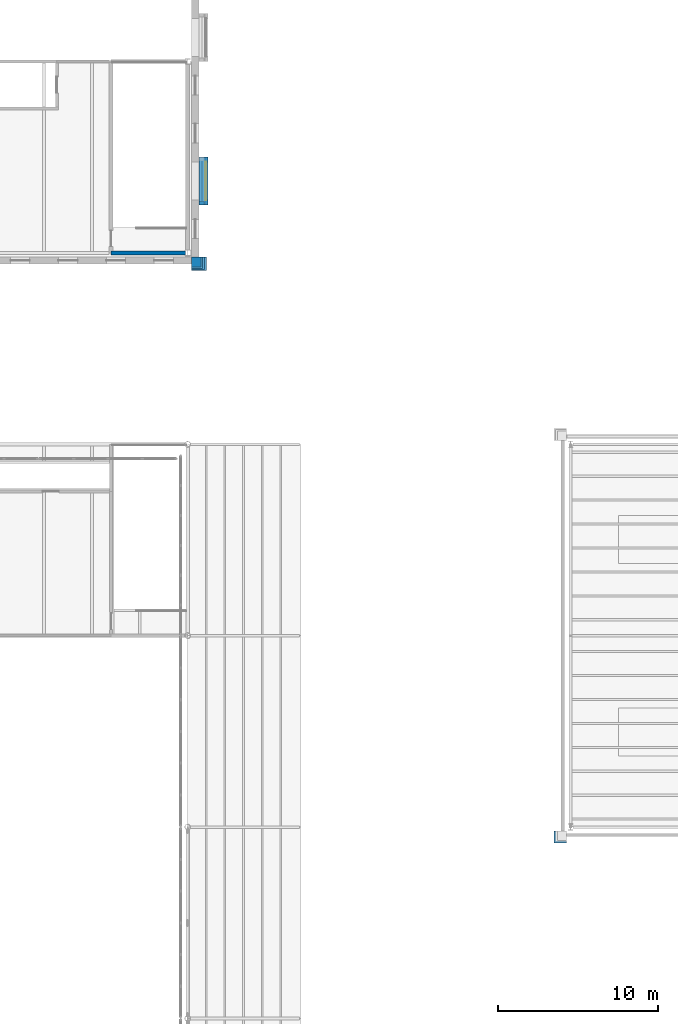
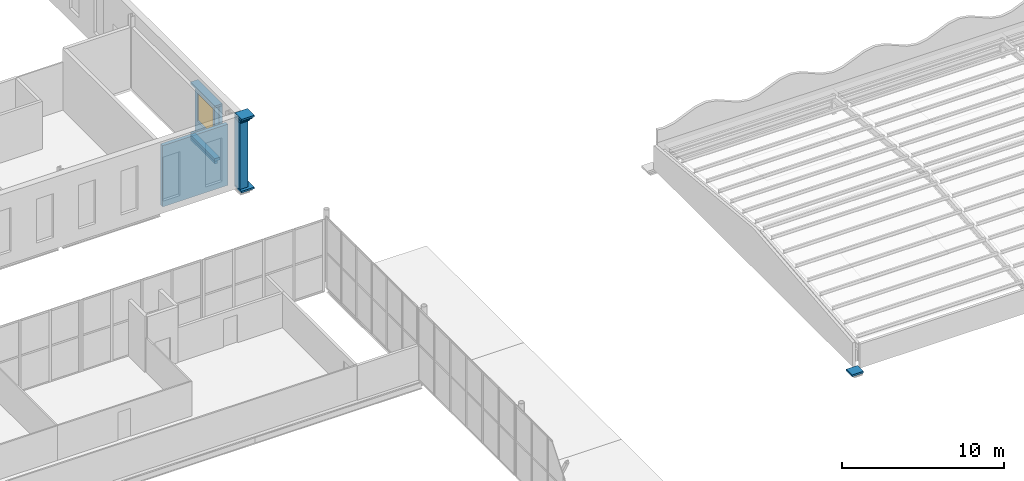
# One storey, part 115 of 170: 13 walls, 1 window, 1 opening.
"""IFC4 building model written with IfcOpenShell, lengths in metres."""

from ifc_helpers import new_model, si_unit, direction, frame, frame_2d, origin, place, context, subcontext, project, spatial, rectangle, extrude, material, layer, layer_set, type_object, element, fill, save


model = new_model("IFC4")

# Units and contexts
model_context = context("Model", 3, precision=1e-05, world=origin(), true_north=direction((0.0, 1.0)))
body_context = subcontext(model_context, "Body", "Model", "MODEL_VIEW")
ifc_project = project(units=[si_unit("LENGTHUNIT", "METRE"), si_unit("AREAUNIT", "SQUARE_METRE"), si_unit("VOLUMEUNIT", "CUBIC_METRE"), si_unit("PLANEANGLEUNIT", "RADIAN"), si_unit("MASSUNIT", "GRAM", prefix="KILO")], contexts=[model_context])

# Site, building, storey
site_placement = place(None, origin())
site = spatial("IfcSite", under=ifc_project, at=site_placement, CompositionType="ELEMENT")
building_placement = place(site_placement, origin())
building = spatial("IfcBuilding", under=site, at=building_placement, Name="Ravi Spectrum Wholesale Market", CompositionType="ELEMENT")
storey_placement = place(building_placement, frame((0.0, 0.0, 5.39990234375)))
storey = spatial("IfcBuildingStorey", under=building, at=storey_placement, Name="L01", CompositionType="ELEMENT", Elevation=5.39990234375)

# Walls
ifc_material_1 = material(Name="Clinker brickwork", Category="masonry")
ifc_layer_1 = layer(ifc_material_1, 0.715087890625)
ifc_layer_set_1 = layer_set([ifc_layer_1], Name="Clinker brickwork")
wall_type_1 = type_object("IfcWallType", Name="Brick corbel 715", PredefinedType="SOLIDWALL", material=ifc_layer_set_1)
wall_1_placement = place(storey_placement, frame((198.25, 197.392578125, 5.010009765625), z_axis=(0.0, 0.0, 1.0), x_axis=(1.0, 0.0, 0.0)))
element("IfcWall", 1, at=wall_1_placement, inside=storey, type_object=wall_type_1, Name="AU-WL-L01-022", PredefinedType="SOLIDWALL", context=body_context, shape_type="SweptSolid", body=[
    extrude(rectangle(XDim=0.68994140625, YDim=0.715087890625, at=frame_2d((0.344970703125, 0.0))), origin(), (0.0, 0.0, 1.0), 0.130126953125),
])
ifc_material_2 = material(Name="Clinker brickwork", Category="masonry")
ifc_layer_2 = layer(ifc_material_2, 0.735107421875)
ifc_layer_set_2 = layer_set([ifc_layer_2], Name="Clinker brickwork")
wall_type_2 = type_object("IfcWallType", Name="Brick corbel 735", PredefinedType="SOLIDWALL", material=ifc_layer_set_2)
wall_2_placement = place(storey_placement, frame((221.75, 161.382568359375, -0.1298828125), z_axis=(0.0, 0.0, 1.0), x_axis=(-1.0, 0.0, 0.0)))
element("IfcWall", 2, at=wall_2_placement, inside=storey, type_object=wall_type_2, Name="GS-WL-L01-007", PredefinedType="SOLIDWALL", context=body_context, shape_type="SweptSolid", body=[
    extrude(rectangle(XDim=0.800048828125, YDim=0.735107421875, at=frame_2d((0.39990234375, 0.0))), origin(), (0.0, 0.0, 1.0), 0.1298828125),
])
ifc_material_3 = material(Name="Clinker brickwork", Category="masonry")
ifc_layer_3 = layer(ifc_material_3, 0.784912109375)
ifc_layer_set_3 = layer_set([ifc_layer_3], Name="Clinker brickwork")
wall_type_3 = type_object("IfcWallType", Name="Brick corbel 785", PredefinedType="SOLIDWALL", material=ifc_layer_set_3)
wall_3_placement = place(storey_placement, frame((198.25, 197.357421875, 5.14013671875), z_axis=(0.0, 0.0, 1.0), x_axis=(1.0, 0.0, 0.0)))
element("IfcWall", 3, at=wall_3_placement, inside=storey, type_object=wall_type_3, Name="AU-WL-L01-023", PredefinedType="SOLIDWALL", context=body_context, shape_type="SweptSolid", body=[
    extrude(rectangle(XDim=0.804931640625, YDim=0.784912109375, at=frame_2d((0.40234375, 0.0))), origin(), (0.0, 0.0, 1.0), 0.1298828125),
])
ifc_material_4 = material(Name="Clinker brickwork", Category="masonry")
ifc_layer_4 = layer(ifc_material_4, 0.85498046875)
ifc_layer_set_4 = layer_set([ifc_layer_4], Name="Clinker brickwork")
wall_type_4 = type_object("IfcWallType", Name="Brick corbel 855", PredefinedType="SOLIDWALL", material=ifc_layer_set_4)
wall_4_placement = place(storey_placement, frame((198.25, 197.322509765625, -0.1298828125), z_axis=(0.0, 0.0, 1.0), x_axis=(1.0, 0.0, 0.0)))
element("IfcWall", 4, at=wall_4_placement, inside=storey, type_object=wall_type_4, Name="AU-WL-L01-010", PredefinedType="SOLIDWALL", context=body_context, shape_type="SweptSolid", body=[
    extrude(rectangle(XDim=0.919921875, YDim=0.85498046875, at=frame_2d((0.4599609375, 0.0))), origin(), (0.0, 0.0, 1.0), 0.1298828125),
])
wall_5_placement = place(storey_placement, frame((198.25, 197.322509765625, 5.27001953125), z_axis=(0.0, 0.0, 1.0), x_axis=(1.0, 0.0, 0.0)))
element("IfcWall", 5, at=wall_5_placement, inside=storey, type_object=wall_type_4, Name="AU-WL-L01-024", PredefinedType="SOLIDWALL", context=body_context, shape_type="SweptSolid", body=[
    extrude(rectangle(XDim=0.919921875, YDim=0.85498046875, at=frame_2d((0.4599609375, 0.0))), origin(), (0.0, 0.0, 1.0), 0.130126953125),
])
ifc_material_5 = material(Name="Clinker brickwork", Category="masonry")
ifc_layer_5 = layer(ifc_material_5, 0.179931640625)
ifc_layer_set_5 = layer_set([ifc_layer_5], Name="Clinker brickwork")
wall_type_5 = type_object("IfcWallType", Name="Brick corbel block 180", PredefinedType="SOLIDWALL", material=ifc_layer_set_5)
wall_6_placement = place(storey_placement, frame((198.800048828125, 201.0, -0.599853515625), z_axis=(0.0, 0.0, 1.0), x_axis=(0.0, 1.0, 0.0)))
element("IfcWall", 6, at=wall_6_placement, inside=storey, type_object=wall_type_5, Name="AU-WL-L01-035", PredefinedType="SOLIDWALL", context=body_context, shape_type="SweptSolid", body=[
    extrude(rectangle(XDim=3.0, YDim=0.179931640625, at=frame_2d((1.5, 0.0))), origin(), (0.0, 0.0, 1.0), 0.199951171875),
])
ifc_material_6 = material(Name="Clinker brickwork", Category="masonry")
ifc_layer_6 = layer(ifc_material_6, 0.3701171875)
ifc_layer_set_6 = layer_set([ifc_layer_6], Name="Clinker brickwork")
wall_type_6 = type_object("IfcWallType", Name="Brick corbel block 370", PredefinedType="SOLIDWALL", material=ifc_layer_set_6)
wall_7_placement = place(storey_placement, frame((198.89501953125, 201.0, -0.39990234375), z_axis=(0.0, 0.0, 1.0), x_axis=(0.0, 1.0, 0.0)))
element("IfcWall", 7, at=wall_7_placement, inside=storey, type_object=wall_type_6, Name="AU-WL-L01-036", PredefinedType="SOLIDWALL", context=body_context, shape_type="SweptSolid", body=[
    extrude(rectangle(XDim=3.0, YDim=0.3701171875, at=frame_2d((1.5, 0.0))), origin(), (0.0, 0.0, 1.0), 0.199951171875),
])
ifc_material_7 = material(Name="Clinker brickwork", Category="masonry")
ifc_layer_7 = layer(ifc_material_7, 0.550048828125)
ifc_layer_set_7 = layer_set([ifc_layer_7], Name="Clinker brickwork")
wall_type_7 = type_object("IfcWallType", Name="Brick corbel block 550", PredefinedType="SOLIDWALL", material=ifc_layer_set_7)
wall_8_placement = place(storey_placement, frame((198.985107421875, 201.0, -0.199951171875), z_axis=(0.0, 0.0, 1.0), x_axis=(0.0, 1.0, 0.0)))
element("IfcWall", 8, at=wall_8_placement, inside=storey, type_object=wall_type_7, Name="AU-WL-L01-037", PredefinedType="SOLIDWALL", context=body_context, shape_type="SweptSolid", body=[
    extrude(rectangle(XDim=3.0, YDim=0.550048828125, at=frame_2d((1.5, 0.0))), origin(), (0.0, 0.0, 1.0), 0.199951171875),
])

# Wall, opening, window
ifc_material_8 = material(Name="Facing brickwork", Category="masonry")
ifc_layer_8 = layer(ifc_material_8, 0.22998046875)
ifc_layer_set_8 = layer_set([ifc_layer_8], Name="Facing brickwork")
wall_type_8 = type_object("IfcWallType", Name="Brick oriel 230", PredefinedType="SOLIDWALL", material=ifc_layer_set_8)
wall_9_placement = place(storey_placement, frame((199.14501953125, 201.0, 0.0), z_axis=(0.0, 0.0, 1.0), x_axis=(0.0, 1.0, 0.0)))
wall_9 = element("IfcWall", 9, at=wall_9_placement, inside=storey, type_object=wall_type_8, Name="AU-WL-L01-038", PredefinedType="SOLIDWALL", context=body_context, shape_type="SweptSolid", body=[
    extrude(rectangle(XDim=3.0, YDim=0.22998046875, at=frame_2d((1.5, 0.0))), origin(), (0.0, 0.0, 1.0), 3.60009765625),
])
opening_placement = place(wall_9_placement, frame((0.300048828125, 0.0, 0.89990234375)))
opening = element("IfcOpeningElement", 10, at=opening_placement, cuts=wall_9, Name="Opening W2446", PredefinedType="OPENING", context=body_context, shape_type="SweptSolid", body=[
    extrude(rectangle(XDim=2.39990234375, YDim=2.10009765625, at=frame_2d((1.199951171875, 1.050048828125))), frame((0.0, 0.125, 0.0), z_axis=(0.0, -1.0, 0.0), x_axis=(1.0, 0.0, 0.0)), (0.0, 0.0, 1.0), 0.25),
])
ifc_material_9 = material(Name="Steel window frame", Category="steel")
window_type = type_object("IfcWindowType", Name="Oriel window 2400 x 2100", PartitioningType="SINGLE_PANEL", PredefinedType="WINDOW", material=ifc_material_9)
window_placement = place(opening_placement, origin())
window = element("IfcWindow", 11, at=window_placement, inside=storey, type_object=window_type, Name="Window W2446", OverallHeight=2.10009765625, OverallWidth=2.39990234375, PartitioningType="SINGLE_PANEL", PredefinedType="WINDOW", context=body_context, shape_type="SweptSolid", body=[
    extrude(rectangle(XDim=2.39990234375, YDim=2.10009765625, at=frame_2d((1.199951171875, 1.050048828125))), frame((0.0, 0.030029296875, 0.0), z_axis=(0.0, -1.0, 0.0), x_axis=(1.0, 0.0, 0.0)), (0.0, 0.0, 1.0), 0.06005859375),
])
fill(opening, window)

# Walls
wall_10_placement = place(storey_placement, frame((198.7099609375, 201.114990234375, 0.0), z_axis=(0.0, 0.0, 1.0), x_axis=(1.0, 0.0, 0.0)))
element("IfcWall", 12, at=wall_10_placement, inside=storey, type_object=wall_type_8, Name="AU-WL-L01-039", PredefinedType="SOLIDWALL", context=body_context, shape_type="SweptSolid", body=[
    extrude(rectangle(XDim=0.320068359375, YDim=0.22998046875, at=frame_2d((0.16015625, 0.0))), origin(), (0.0, 0.0, 1.0), 3.60009765625),
])
ifc_material_10 = material(Name="Clinker brickwork", Category="masonry")
ifc_layer_9 = layer(ifc_material_10, 0.64501953125)
ifc_layer_set_9 = layer_set([ifc_layer_9], Name="Clinker brickwork")
wall_type_9 = type_object("IfcWallType", Name="Brick pier 645", PredefinedType="SOLIDWALL", material=ifc_layer_set_9)
wall_11_placement = place(storey_placement, frame((198.25, 197.427490234375, 0.0), z_axis=(0.0, 0.0, 1.0), x_axis=(1.0, 0.0, 0.0)))
element("IfcWall", 13, at=wall_11_placement, inside=storey, type_object=wall_type_9, Name="AU-WL-L01-021", PredefinedType="SOLIDWALL", context=body_context, shape_type="SweptSolid", body=[
    extrude(rectangle(XDim=0.574951171875, YDim=0.64501953125, at=frame_2d((0.28759765625, 0.0))), origin(), (0.0, 0.0, 1.0), 5.010009765625),
])
ifc_material_11 = material(Name="Concrete C35/45", Category="concrete")
ifc_layer_10 = layer(ifc_material_11, 0.25)
ifc_layer_set_10 = layer_set([ifc_layer_10], Name="Concrete C35/45")
wall_type_10 = type_object("IfcWallType", Name="Concrete core wall 250", PredefinedType="SHEAR", material=ifc_layer_set_10)
wall_12_placement = place(storey_placement, frame((193.199951171875, 198.0, 0.0), z_axis=(0.0, 0.0, 1.0), x_axis=(1.0, 0.0, 0.0)))
element("IfcWall", 14, at=wall_12_placement, inside=storey, type_object=wall_type_10, Name="Stair core wall Stair S-AU-1", PredefinedType="SHEAR", context=body_context, shape_type="SweptSolid", body=[
    extrude(rectangle(XDim=4.650146484375, YDim=0.25, at=frame_2d((2.3251953125, 0.0))), origin(), (0.0, 0.0, 1.0), 4.60009765625),
])
ifc_material_12 = material(Name="Stone coping", Category="masonry")
ifc_layer_11 = layer(ifc_material_12, 0.550048828125)
ifc_layer_set_11 = layer_set([ifc_layer_11], Name="Stone coping")
wall_type_11 = type_object("IfcWallType", Name="Stone oriel cap 550", PredefinedType="SOLIDWALL", material=ifc_layer_set_11)
wall_13_placement = place(storey_placement, frame((198.985107421875, 201.0, 3.60009765625), z_axis=(0.0, 0.0, 1.0), x_axis=(0.0, 1.0, 0.0)))
element("IfcWall", 15, at=wall_13_placement, inside=storey, type_object=wall_type_11, Name="AU-WL-L01-041", PredefinedType="SOLIDWALL", context=body_context, shape_type="SweptSolid", body=[
    extrude(rectangle(XDim=3.0, YDim=0.550048828125, at=frame_2d((1.5, 0.0))), origin(), (0.0, 0.0, 1.0), 0.14990234375),
])

save(model, "model.ifc")
